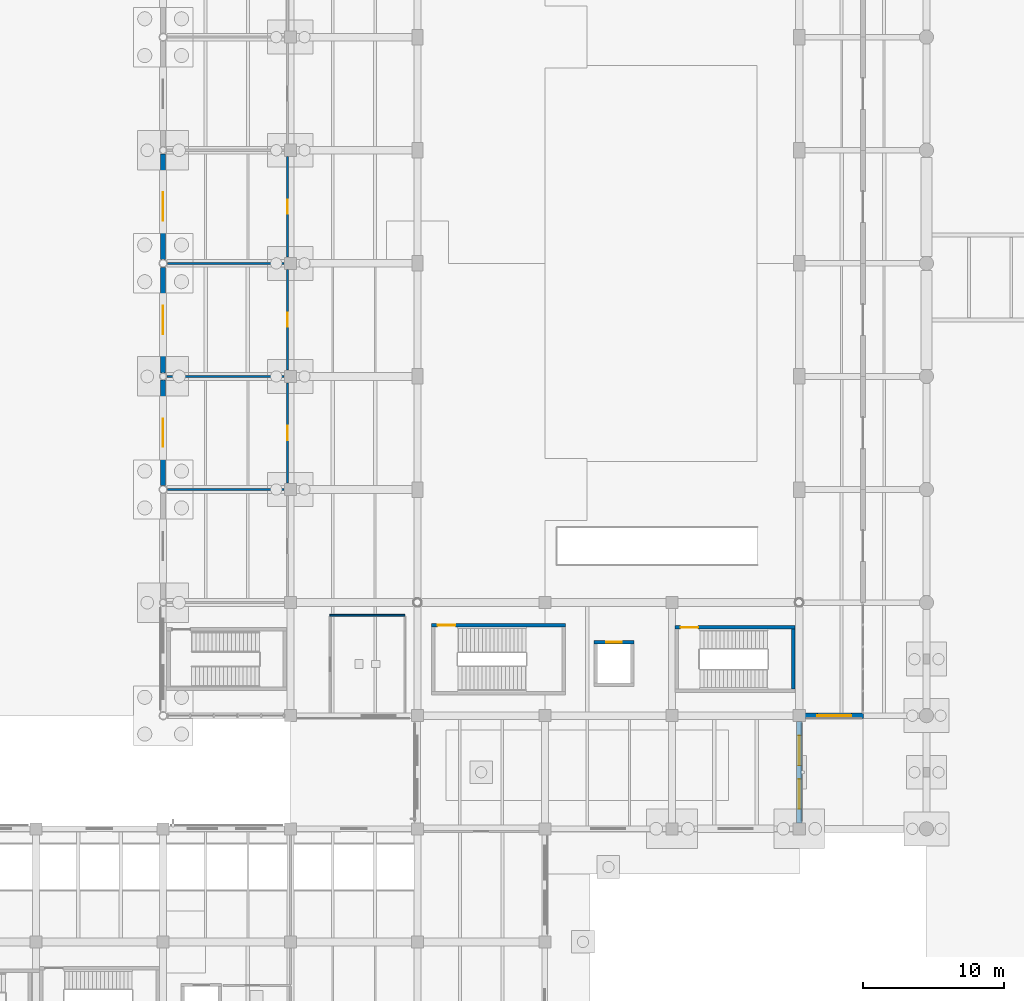
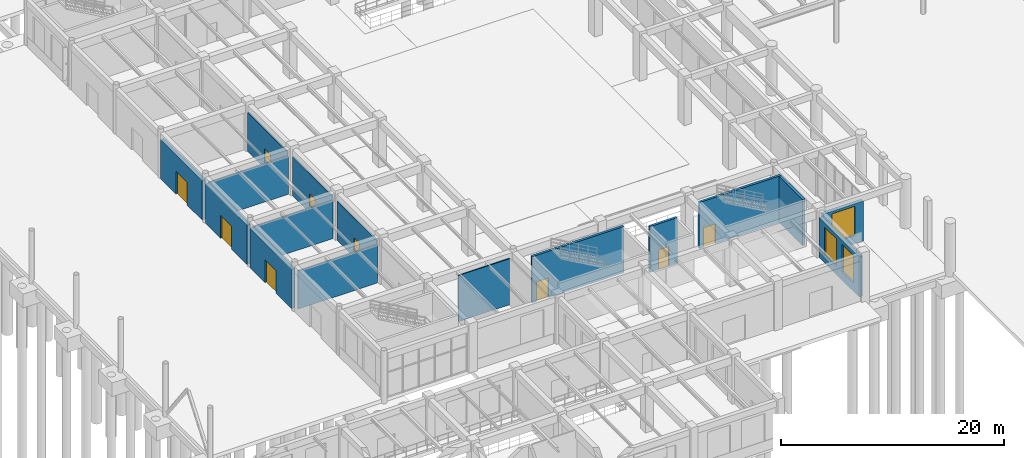
# One storey, part 90 of 121: 16 walls, 9 doors, 3 windows, 12 openings.
"""IFC4 building model written with IfcOpenShell, lengths in metres."""

from ifc_helpers import new_model, si_unit, derived_unit, direction, frame, frame_2d, origin, place, context, subcontext, project, spatial, rectangle, extrude, material, layer, layer_set, type_object, element, fill, save


model = new_model("IFC4")

# Units and contexts
model_context = context("Model", 3, precision=1e-05, world=origin(), true_north=direction((0.0, 1.0)))
body_context = subcontext(model_context, "Body", "Model", "MODEL_VIEW")
ifc_project = project(units=[si_unit("LENGTHUNIT", "METRE"), si_unit("AREAUNIT", "SQUARE_METRE"), si_unit("VOLUMEUNIT", "CUBIC_METRE"), si_unit("PLANEANGLEUNIT", "RADIAN"), si_unit("MASSUNIT", "GRAM", prefix="KILO"), derived_unit("THERMALTRANSMITTANCEUNIT", [(si_unit("MASSUNIT", "GRAM", prefix="KILO"), 1), (si_unit("TIMEUNIT", "SECOND"), -3), (si_unit("THERMODYNAMICTEMPERATUREUNIT", "KELVIN"), -1)])], contexts=[model_context])

# Site, building, storey
site_placement = place(None, origin())
site = spatial("IfcSite", under=ifc_project, at=site_placement, CompositionType="ELEMENT")
building_placement = place(site_placement, origin())
building = spatial("IfcBuilding", under=site, at=building_placement, Name="Zhenchuan Archway Interchange", CompositionType="ELEMENT")
storey_placement = place(building_placement, origin())
storey = spatial("IfcBuildingStorey", under=building, at=storey_placement, Name="L00", CompositionType="ELEMENT", Elevation=0.0)

# Wall, opening, door
ifc_material_1 = material(Name="Terracotta Masonry", Category="masonry")
ifc_layer_1 = layer(ifc_material_1, 0.360107421875)
ifc_layer_set_1 = layer_set([ifc_layer_1], Name="Terracotta Masonry")
wall_type_1 = type_object("IfcWallType", Name="EW_TERRA_360", PredefinedType="STANDARD", material=ifc_layer_set_1)
wall_1_placement = place(storey_placement, frame((18.0, 40.276611328125, 0.0), z_axis=(0.0, 0.0, 1.0), x_axis=(0.0, 1.0, 0.0)))
wall_1 = element("IfcWall", 1, at=wall_1_placement, inside=storey, type_object=wall_type_1, Name="Exterior wall L00-006", PredefinedType="STANDARD", context=body_context, shape_type="SweptSolid", body=[
    extrude(rectangle(XDim=7.472412109375, YDim=0.360107421875, at=frame_2d((3.736328125, 0.0))), origin(), (0.0, 0.0, 1.0), 4.320068359375),
])
opening_1_placement = place(wall_1_placement, frame((2.736328125, 0.0, 0.0)))
opening_1 = element("IfcOpeningElement", 2, at=opening_1_placement, cuts=wall_1, Name="Opening ED-03", PredefinedType="OPENING", context=body_context, shape_type="SweptSolid", body=[
    extrude(rectangle(XDim=2.0, YDim=2.5, at=frame_2d((1.0, 1.25))), frame((0.0, 0.19189453125, 0.0), z_axis=(0.0, -1.0, 0.0), x_axis=(1.0, 0.0, 0.0)), (0.0, 0.0, 1.0), 0.384033203125),
])
ifc_material_2 = material(Name="Anodised Aluminium", Category="aluminium")
door_type_1 = type_object("IfcDoorType", Name="ED_BUS_2000x2500", OperationType="SLIDING_TO_LEFT", PredefinedType="DOOR", material=ifc_material_2)
door_1_placement = place(opening_1_placement, origin())
door_1 = element("IfcDoor", 3, at=door_1_placement, inside=storey, type_object=door_type_1, Name="Exterior entrance door L00-002", OperationType="SINGLE_SWING_LEFT", OverallHeight=2.5, OverallWidth=2.0, PredefinedType="DOOR", context=body_context, shape_type="SweptSolid", body=[
    extrude(rectangle(XDim=2.0, YDim=2.5, at=frame_2d((1.0, 1.25))), frame((0.0, 0.02490234375, 0.0), z_axis=(0.0, -1.0, 0.0), x_axis=(1.0, 0.0, 0.0)), (0.0, 0.0, 1.0), 0.050048828125),
])
fill(opening_1, door_1)

wall_2_placement = place(storey_placement, frame((18.0, 48.2509765625, 0.0), z_axis=(0.0, 0.0, 1.0), x_axis=(0.0, 1.0, 0.0)))
wall_2 = element("IfcWall", 4, at=wall_2_placement, inside=storey, type_object=wall_type_1, Name="Exterior wall L00-007", PredefinedType="STANDARD", context=body_context, shape_type="SweptSolid", body=[
    extrude(rectangle(XDim=7.472412109375, YDim=0.360107421875, at=frame_2d((3.736328125, 0.0))), origin(), (0.0, 0.0, 1.0), 4.320068359375),
])
opening_2_placement = place(wall_2_placement, frame((2.736328125, 0.0, 0.0)))
opening_2 = element("IfcOpeningElement", 5, at=opening_2_placement, cuts=wall_2, Name="Opening ED-03", PredefinedType="OPENING", context=body_context, shape_type="SweptSolid", body=[
    extrude(rectangle(XDim=2.0, YDim=2.5, at=frame_2d((1.0, 1.25))), frame((0.0, 0.19189453125, 0.0), z_axis=(0.0, -1.0, 0.0), x_axis=(1.0, 0.0, 0.0)), (0.0, 0.0, 1.0), 0.384033203125),
])
door_2_placement = place(opening_2_placement, origin())
door_2 = element("IfcDoor", 6, at=door_2_placement, inside=storey, type_object=door_type_1, Name="Exterior entrance door L00-003", OperationType="SINGLE_SWING_LEFT", OverallHeight=2.5, OverallWidth=2.0, PredefinedType="DOOR", context=body_context, shape_type="SweptSolid", body=[
    extrude(rectangle(XDim=2.0, YDim=2.5, at=frame_2d((1.0, 1.25))), frame((0.0, 0.02490234375, 0.0), z_axis=(0.0, -1.0, 0.0), x_axis=(1.0, 0.0, 0.0)), (0.0, 0.0, 1.0), 0.050048828125),
])
fill(opening_2, door_2)

wall_3_placement = place(storey_placement, frame((18.0, 56.276611328125, 0.0), z_axis=(0.0, 0.0, 1.0), x_axis=(0.0, 1.0, 0.0)))
wall_3 = element("IfcWall", 7, at=wall_3_placement, inside=storey, type_object=wall_type_1, Name="Exterior wall L00-008", PredefinedType="STANDARD", context=body_context, shape_type="SweptSolid", body=[
    extrude(rectangle(XDim=7.472412109375, YDim=0.360107421875, at=frame_2d((3.736328125, 0.0))), origin(), (0.0, 0.0, 1.0), 4.320068359375),
])
opening_3_placement = place(wall_3_placement, frame((2.736328125, 0.0, 0.0)))
opening_3 = element("IfcOpeningElement", 8, at=opening_3_placement, cuts=wall_3, Name="Opening ED-03", PredefinedType="OPENING", context=body_context, shape_type="SweptSolid", body=[
    extrude(rectangle(XDim=2.0, YDim=2.5, at=frame_2d((1.0, 1.25))), frame((0.0, 0.19189453125, 0.0), z_axis=(0.0, -1.0, 0.0), x_axis=(1.0, 0.0, 0.0)), (0.0, 0.0, 1.0), 0.384033203125),
])
door_3_placement = place(opening_3_placement, origin())
door_3 = element("IfcDoor", 9, at=door_3_placement, inside=storey, type_object=door_type_1, Name="Exterior entrance door L00-004", OperationType="SINGLE_SWING_LEFT", OverallHeight=2.5, OverallWidth=2.0, PredefinedType="DOOR", context=body_context, shape_type="SweptSolid", body=[
    extrude(rectangle(XDim=2.0, YDim=2.5, at=frame_2d((1.0, 1.25))), frame((0.0, 0.02490234375, 0.0), z_axis=(0.0, -1.0, 0.0), x_axis=(1.0, 0.0, 0.0)), (0.0, 0.0, 1.0), 0.050048828125),
])
fill(opening_3, door_3)

# Wall, opening, window
wall_4_placement = place(storey_placement, frame((67.5400390625, 24.0, 0.0), z_axis=(0.0, 0.0, 1.0), x_axis=(-1.0, 0.0, 0.0)))
wall_4 = element("IfcWall", 10, at=wall_4_placement, inside=storey, type_object=wall_type_1, Name="Exterior wall L00-040", PredefinedType="STANDARD", context=body_context, shape_type="SweptSolid", body=[
    extrude(rectangle(XDim=4.116943359375, YDim=0.360107421875, at=frame_2d((2.05859375, 0.0))), origin(), (0.0, 0.0, 1.0), 4.3798828125),
])
opening_4_placement = place(wall_4_placement, frame((0.8583984375, 0.0, 0.89990234375)))
opening_4 = element("IfcOpeningElement", 11, at=opening_4_placement, cuts=wall_4, Name="Opening W-01", PredefinedType="OPENING", context=body_context, shape_type="SweptSolid", body=[
    extrude(rectangle(XDim=2.39990234375, YDim=3.199951171875, at=frame_2d((1.199951171875, 1.60009765625))), frame((0.0, 0.19189453125, 0.0), z_axis=(0.0, -1.0, 0.0), x_axis=(1.0, 0.0, 0.0)), (0.0, 0.0, 1.0), 0.384033203125),
])
ifc_material_3 = material(Name="Double Low-E Insulated Glazing", Category="glass")
window_type_1 = type_object("IfcWindowType", Name="WN_ARCH_2400x3200", PartitioningType="SINGLE_PANEL", PredefinedType="WINDOW", material=ifc_material_3)
window_1_placement = place(opening_4_placement, origin())
window_1 = element("IfcWindow", 12, at=window_1_placement, inside=storey, type_object=window_type_1, Name="Window L00-0024", OverallHeight=3.199951171875, OverallWidth=2.39990234375, PartitioningType="SINGLE_PANEL", PredefinedType="WINDOW", context=body_context, shape_type="SweptSolid", body=[
    extrude(rectangle(XDim=2.39990234375, YDim=3.199951171875, at=frame_2d((1.199951171875, 1.60009765625))), frame((0.0, 0.030029296875, 0.0), z_axis=(0.0, -1.0, 0.0), x_axis=(1.0, 0.0, 0.0)), (0.0, 0.0, 1.0), 0.06005859375),
])
fill(opening_4, window_1)

# Wall, openings, windows
wall_5_placement = place(storey_placement, frame((63.0, 23.576904296875, 0.0), z_axis=(0.0, 0.0, 1.0), x_axis=(0.0, -1.0, 0.0)))
wall_5 = element("IfcWall", 13, at=wall_5_placement, inside=storey, type_object=wall_type_1, Name="Exterior wall L00-041", PredefinedType="STANDARD", context=body_context, shape_type="SweptSolid", body=[
    extrude(rectangle(XDim=7.15380859375, YDim=0.360107421875, at=frame_2d((3.576904296875, 0.0))), origin(), (0.0, 0.0, 1.0), 4.3798828125),
])
opening_5_placement = place(wall_5_placement, frame((0.984619140625, 0.0, 0.89990234375)))
opening_5 = element("IfcOpeningElement", 14, at=opening_5_placement, cuts=wall_5, Name="Opening W-02", PredefinedType="OPENING", context=body_context, shape_type="SweptSolid", body=[
    extrude(rectangle(XDim=2.10009765625, YDim=3.0, at=frame_2d((1.050048828125, 1.5))), frame((0.0, 0.19189453125, 0.0), z_axis=(0.0, -1.0, 0.0), x_axis=(1.0, 0.0, 0.0)), (0.0, 0.0, 1.0), 0.384033203125),
])
opening_6_placement = place(wall_5_placement, frame((4.0693359375, 0.0, 0.89990234375)))
opening_6 = element("IfcOpeningElement", 15, at=opening_6_placement, cuts=wall_5, Name="Opening W-02", PredefinedType="OPENING", context=body_context, shape_type="SweptSolid", body=[
    extrude(rectangle(XDim=2.10009765625, YDim=3.0, at=frame_2d((1.050048828125, 1.5))), frame((0.0, 0.19189453125, 0.0), z_axis=(0.0, -1.0, 0.0), x_axis=(1.0, 0.0, 0.0)), (0.0, 0.0, 1.0), 0.384033203125),
])
window_type_2 = type_object("IfcWindowType", Name="WN_ARCH_2100x3000", PartitioningType="SINGLE_PANEL", PredefinedType="WINDOW", material=ifc_material_3)
window_2_placement = place(opening_5_placement, origin())
window_2 = element("IfcWindow", 16, at=window_2_placement, inside=storey, type_object=window_type_2, Name="Window L00-0025", OverallHeight=3.0, OverallWidth=2.10009765625, PartitioningType="SINGLE_PANEL", PredefinedType="WINDOW", context=body_context, shape_type="SweptSolid", body=[
    extrude(rectangle(XDim=2.10009765625, YDim=3.0, at=frame_2d((1.050048828125, 1.5))), frame((0.0, 0.030029296875, 0.0), z_axis=(0.0, -1.0, 0.0), x_axis=(1.0, 0.0, 0.0)), (0.0, 0.0, 1.0), 0.06005859375),
])
fill(opening_5, window_2)
window_3_placement = place(opening_6_placement, origin())
window_3 = element("IfcWindow", 17, at=window_3_placement, inside=storey, type_object=window_type_2, Name="Window L00-0026", OverallHeight=3.0, OverallWidth=2.10009765625, PartitioningType="SINGLE_PANEL", PredefinedType="WINDOW", context=body_context, shape_type="SweptSolid", body=[
    extrude(rectangle(XDim=2.10009765625, YDim=3.0, at=frame_2d((1.050048828125, 1.5))), frame((0.0, 0.030029296875, 0.0), z_axis=(0.0, -1.0, 0.0), x_axis=(1.0, 0.0, 0.0)), (0.0, 0.0, 1.0), 0.06005859375),
])
fill(opening_6, window_3)

# Wall, opening, door
ifc_material_4 = material(Name="Concrete C40", Category="concrete")
ifc_layer_2 = layer(ifc_material_4, 0.239990234375)
ifc_layer_set_2 = layer_set([ifc_layer_2], Name="Concrete C40")
wall_type_2 = type_object("IfcWallType", Name="WL_LIFT_240", PredefinedType="SHEAR", material=ifc_layer_set_2)
wall_6_placement = place(storey_placement, frame((51.320068359375, 29.199951171875, 0.0), z_axis=(0.0, 0.0, 1.0), x_axis=(-1.0, 0.0, 0.0)))
wall_6 = element("IfcWall", 18, at=wall_6_placement, inside=storey, type_object=wall_type_2, Name="Lift LF-01 north shaft wall (L00)", PredefinedType="SHEAR", context=body_context, shape_type="SweptSolid", body=[
    extrude(rectangle(XDim=2.840087890625, YDim=0.239990234375, at=frame_2d((1.419921875, 0.0))), origin(), (0.0, 0.0, 1.0), 5.050048828125),
])
opening_7_placement = place(wall_6_placement, frame((0.8701171875, 0.0, 0.0)))
opening_7 = element("IfcOpeningElement", 19, at=opening_7_placement, cuts=wall_6, Name="Opening LD-01", PredefinedType="OPENING", context=body_context, shape_type="SweptSolid", body=[
    extrude(rectangle(XDim=1.10009765625, YDim=2.199951171875, at=frame_2d((0.550048828125, 1.10009765625))), frame((0.0, 0.1318359375, 0.0), z_axis=(0.0, -1.0, 0.0), x_axis=(1.0, 0.0, 0.0)), (0.0, 0.0, 1.0), 0.263916015625),
])
ifc_material_5 = material(Name="Stainless Steel 304", Category="steel")
door_type_2 = type_object("IfcDoorType", Name="DR_LIFT_LD110", OperationType="DOUBLE_DOOR_SLIDING", PredefinedType="DOOR", material=ifc_material_5)
door_4_placement = place(opening_7_placement, origin())
door_4 = element("IfcDoor", 20, at=door_4_placement, inside=storey, type_object=door_type_2, Name="Lift LF-01 landing door (L00)", OperationType="DOUBLE_DOOR_SLIDING", OverallHeight=2.199951171875, OverallWidth=1.10009765625, PredefinedType="DOOR", context=body_context, shape_type="SweptSolid", body=[
    extrude(rectangle(XDim=1.10009765625, YDim=2.199951171875, at=frame_2d((0.550048828125, 1.10009765625))), frame((0.0, 0.02490234375, 0.0), z_axis=(0.0, -1.0, 0.0), x_axis=(1.0, 0.0, 0.0)), (0.0, 0.0, 1.0), 0.050048828125),
])
fill(opening_7, door_4)

# Walls
ifc_material_6 = material(Name="Gypsum Plasterboard", Category="gypsum")
ifc_layer_3 = layer(ifc_material_6, 0.14990234375)
ifc_layer_set_3 = layer_set([ifc_layer_3], Name="Gypsum Plasterboard")
wall_type_3 = type_object("IfcWallType", Name="WL_PART_150", PredefinedType="STANDARD", material=ifc_layer_set_3)
wall_7_placement = place(storey_placement, frame((18.304443359375, 40.0, 0.0), z_axis=(0.0, 0.0, 1.0), x_axis=(1.0, 0.0, 0.0)))
element("IfcWall", 21, at=wall_7_placement, inside=storey, type_object=wall_type_3, Name="Bus Bay 01 Boarding Gate N partition (L00)", PredefinedType="STANDARD", context=body_context, shape_type="SweptSolid", body=[
    extrude(rectangle(XDim=8.24560546875, YDim=0.14990234375, at=frame_2d((4.122802734375, 0.0))), origin(), (0.0, 0.0, 1.0), 4.169921875),
])
wall_8_placement = place(storey_placement, frame((18.279052734375, 48.0, 0.0), z_axis=(0.0, 0.0, 1.0), x_axis=(1.0, 0.0, 0.0)))
element("IfcWall", 22, at=wall_8_placement, inside=storey, type_object=wall_type_3, Name="Bus Bay 02 Boarding Gate N partition (L00)", PredefinedType="STANDARD", context=body_context, shape_type="SweptSolid", body=[
    extrude(rectangle(XDim=8.27099609375, YDim=0.14990234375, at=frame_2d((4.135498046875, 0.0))), origin(), (0.0, 0.0, 1.0), 4.169921875),
])

# Wall, opening, door
wall_9_placement = place(storey_placement, frame((26.800048828125, 40.449951171875, 0.0), z_axis=(0.0, 0.0, 1.0), x_axis=(0.0, 1.0, 0.0)))
wall_9 = element("IfcWall", 23, at=wall_9_placement, inside=storey, type_object=wall_type_3, Name="Bus Bay 02 Boarding Gate E partition (L00)", PredefinedType="STANDARD", context=body_context, shape_type="SweptSolid", body=[
    extrude(rectangle(XDim=7.10009765625, YDim=0.14990234375, at=frame_2d((3.550048828125, 0.0))), origin(), (0.0, 0.0, 1.0), 4.27001953125),
])
opening_8_placement = place(wall_9_placement, frame((3.050048828125, 0.0, 0.0)))
opening_8 = element("IfcOpeningElement", 24, at=opening_8_placement, cuts=wall_9, Name="Opening ID-02", PredefinedType="OPENING", context=body_context, shape_type="SweptSolid", body=[
    extrude(rectangle(XDim=1.0, YDim=2.10009765625, at=frame_2d((0.5, 1.050048828125))), frame((0.0, 0.0869140625, 0.0), z_axis=(0.0, -1.0, 0.0), x_axis=(1.0, 0.0, 0.0)), (0.0, 0.0, 1.0), 0.173828125),
])
ifc_material_7 = material(Name="Hardwood Timber", Category="wood")
door_type_3 = type_object("IfcDoorType", Name="DR_OPS_100", OperationType="NOTDEFINED", PredefinedType="DOOR", material=ifc_material_7)
door_5_placement = place(opening_8_placement, origin())
door_5 = element("IfcDoor", 25, at=door_5_placement, inside=storey, type_object=door_type_3, Name="Bus Bay 02 Boarding Gate door (L00)", OperationType="SINGLE_SWING_RIGHT", OverallHeight=2.10009765625, OverallWidth=1.0, PredefinedType="DOOR", context=body_context, shape_type="SweptSolid", body=[
    extrude(rectangle(XDim=1.0, YDim=2.10009765625, at=frame_2d((0.5, 1.050048828125))), frame((0.0, 0.02490234375, 0.0), z_axis=(0.0, -1.0, 0.0), x_axis=(1.0, 0.0, 0.0)), (0.0, 0.0, 1.0), 0.050048828125),
])
fill(opening_8, door_5)

# Wall
wall_10_placement = place(storey_placement, frame((18.304443359375, 56.0, 0.0), z_axis=(0.0, 0.0, 1.0), x_axis=(1.0, 0.0, 0.0)))
element("IfcWall", 26, at=wall_10_placement, inside=storey, type_object=wall_type_3, Name="Bus Bay 03 Boarding Gate N partition (L00)", PredefinedType="STANDARD", context=body_context, shape_type="SweptSolid", body=[
    extrude(rectangle(XDim=8.24560546875, YDim=0.14990234375, at=frame_2d((4.122802734375, 0.0))), origin(), (0.0, 0.0, 1.0), 4.169921875),
])

# Wall, opening, door
wall_11_placement = place(storey_placement, frame((26.800048828125, 48.449951171875, 0.0), z_axis=(0.0, 0.0, 1.0), x_axis=(0.0, 1.0, 0.0)))
wall_11 = element("IfcWall", 27, at=wall_11_placement, inside=storey, type_object=wall_type_3, Name="Bus Bay 03 Boarding Gate E partition (L00)", PredefinedType="STANDARD", context=body_context, shape_type="SweptSolid", body=[
    extrude(rectangle(XDim=7.10009765625, YDim=0.14990234375, at=frame_2d((3.550048828125, 0.0))), origin(), (0.0, 0.0, 1.0), 4.27001953125),
])
opening_9_placement = place(wall_11_placement, frame((3.050048828125, 0.0, 0.0)))
opening_9 = element("IfcOpeningElement", 28, at=opening_9_placement, cuts=wall_11, Name="Opening ID-02", PredefinedType="OPENING", context=body_context, shape_type="SweptSolid", body=[
    extrude(rectangle(XDim=1.0, YDim=2.10009765625, at=frame_2d((0.5, 1.050048828125))), frame((0.0, 0.0869140625, 0.0), z_axis=(0.0, -1.0, 0.0), x_axis=(1.0, 0.0, 0.0)), (0.0, 0.0, 1.0), 0.173828125),
])
door_6_placement = place(opening_9_placement, origin())
door_6 = element("IfcDoor", 29, at=door_6_placement, inside=storey, type_object=door_type_3, Name="Bus Bay 03 Boarding Gate door (L00)", OperationType="SINGLE_SWING_LEFT", OverallHeight=2.10009765625, OverallWidth=1.0, PredefinedType="DOOR", context=body_context, shape_type="SweptSolid", body=[
    extrude(rectangle(XDim=1.0, YDim=2.10009765625, at=frame_2d((0.5, 1.050048828125))), frame((0.0, 0.02490234375, 0.0), z_axis=(0.0, -1.0, 0.0), x_axis=(1.0, 0.0, 0.0)), (0.0, 0.0, 1.0), 0.050048828125),
])
fill(opening_9, door_6)

wall_12_placement = place(storey_placement, frame((26.800048828125, 56.449951171875, 0.0), z_axis=(0.0, 0.0, 1.0), x_axis=(0.0, 1.0, 0.0)))
wall_12 = element("IfcWall", 30, at=wall_12_placement, inside=storey, type_object=wall_type_3, Name="Bus Bay 04 Boarding Gate E partition (L00)", PredefinedType="STANDARD", context=body_context, shape_type="SweptSolid", body=[
    extrude(rectangle(XDim=7.10009765625, YDim=0.14990234375, at=frame_2d((3.550048828125, 0.0))), origin(), (0.0, 0.0, 1.0), 4.27001953125),
])
opening_10_placement = place(wall_12_placement, frame((3.050048828125, 0.0, 0.0)))
opening_10 = element("IfcOpeningElement", 31, at=opening_10_placement, cuts=wall_12, Name="Opening ID-02", PredefinedType="OPENING", context=body_context, shape_type="SweptSolid", body=[
    extrude(rectangle(XDim=1.0, YDim=2.10009765625, at=frame_2d((0.5, 1.050048828125))), frame((0.0, 0.0869140625, 0.0), z_axis=(0.0, -1.0, 0.0), x_axis=(1.0, 0.0, 0.0)), (0.0, 0.0, 1.0), 0.173828125),
])
door_7_placement = place(opening_10_placement, origin())
door_7 = element("IfcDoor", 32, at=door_7_placement, inside=storey, type_object=door_type_3, Name="Bus Bay 04 Boarding Gate door (L00)", OperationType="SINGLE_SWING_RIGHT", OverallHeight=2.10009765625, OverallWidth=1.0, PredefinedType="DOOR", context=body_context, shape_type="SweptSolid", body=[
    extrude(rectangle(XDim=1.0, YDim=2.10009765625, at=frame_2d((0.5, 1.050048828125))), frame((0.0, 0.02490234375, 0.0), z_axis=(0.0, -1.0, 0.0), x_axis=(1.0, 0.0, 0.0)), (0.0, 0.0, 1.0), 0.050048828125),
])
fill(opening_10, door_7)

ifc_layer_4 = layer(ifc_material_4, 0.25)
ifc_layer_set_4 = layer_set([ifc_layer_4], Name="Concrete C40")
wall_type_4 = type_object("IfcWallType", Name="WL_STAIR_250", PredefinedType="SHEAR", material=ifc_layer_set_4)
wall_13_placement = place(storey_placement, frame((46.47509765625, 30.39990234375, 0.0), z_axis=(0.0, 0.0, 1.0), x_axis=(-1.0, 0.0, 0.0)))
wall_13 = element("IfcWall", 33, at=wall_13_placement, inside=storey, type_object=wall_type_4, Name="Stair ST-M1 north wall (L00)", PredefinedType="SHEAR", context=body_context, shape_type="SweptSolid", body=[
    extrude(rectangle(XDim=9.5, YDim=0.25, at=frame_2d((4.75, 0.0))), origin(), (0.0, 0.0, 1.0), 5.050048828125),
])
opening_11_placement = place(wall_13_placement, frame((7.804931640625, 0.0, 0.0)))
opening_11 = element("IfcOpeningElement", 34, at=opening_11_placement, cuts=wall_13, Name="Opening FD-01", PredefinedType="OPENING", context=body_context, shape_type="SweptSolid", body=[
    extrude(rectangle(XDim=1.25, YDim=2.14990234375, at=frame_2d((0.625, 1.074951171875))), frame((0.0, 0.136962890625, 0.0), z_axis=(0.0, -1.0, 0.0), x_axis=(1.0, 0.0, 0.0)), (0.0, 0.0, 1.0), 0.27392578125),
])
ifc_material_8 = material(Name="Painted Galvanised Steel", Category="steel")
door_type_4 = type_object("IfcDoorType", Name="DR_STAIR_FD90", OperationType="NOTDEFINED", PredefinedType="DOOR", material=ifc_material_8)
door_8_placement = place(opening_11_placement, frame((1.25, 0.0, 0.0), z_axis=(0.0, 0.0, 1.0), x_axis=(-1.0, 0.0, 0.0)))
door_8 = element("IfcDoor", 35, at=door_8_placement, inside=storey, type_object=door_type_4, Name="Stair ST-M1 fire door (L00)", OperationType="SINGLE_SWING_LEFT", OverallHeight=2.14990234375, OverallWidth=1.25, PredefinedType="DOOR", context=body_context, shape_type="SweptSolid", body=[
    extrude(rectangle(XDim=1.25, YDim=2.14990234375, at=frame_2d((0.625, 1.074951171875))), frame((0.0, 0.02490234375, 0.0), z_axis=(0.0, -1.0, 0.0), x_axis=(1.0, 0.0, 0.0)), (0.0, 0.0, 1.0), 0.050048828125),
])
fill(opening_11, door_8)

wall_14_placement = place(storey_placement, frame((62.68505859375, 30.25, 0.0), z_axis=(0.0, 0.0, 1.0), x_axis=(-1.0, 0.0, 0.0)))
wall_14 = element("IfcWall", 36, at=wall_14_placement, inside=storey, type_object=wall_type_4, Name="Stair ST-M3 north wall (L00)", PredefinedType="SHEAR", context=body_context, shape_type="SweptSolid", body=[
    extrude(rectangle(XDim=8.489990234375, YDim=0.25, at=frame_2d((4.2451171875, 0.0))), origin(), (0.0, 0.0, 1.0), 5.050048828125),
])
opening_12_placement = place(wall_14_placement, frame((6.8349609375, 0.0, 0.0)))
opening_12 = element("IfcOpeningElement", 37, at=opening_12_placement, cuts=wall_14, Name="Opening FD-01", PredefinedType="OPENING", context=body_context, shape_type="SweptSolid", body=[
    extrude(rectangle(XDim=1.25, YDim=2.14990234375, at=frame_2d((0.625, 1.074951171875))), frame((0.0, 0.136962890625, 0.0), z_axis=(0.0, -1.0, 0.0), x_axis=(1.0, 0.0, 0.0)), (0.0, 0.0, 1.0), 0.27392578125),
])
door_9_placement = place(opening_12_placement, frame((1.25, 0.0, 0.0), z_axis=(0.0, 0.0, 1.0), x_axis=(-1.0, 0.0, 0.0)))
door_9 = element("IfcDoor", 38, at=door_9_placement, inside=storey, type_object=door_type_4, Name="Stair ST-M3 fire door (L00)", OperationType="SINGLE_SWING_LEFT", OverallHeight=2.14990234375, OverallWidth=1.25, PredefinedType="DOOR", context=body_context, shape_type="SweptSolid", body=[
    extrude(rectangle(XDim=1.25, YDim=2.14990234375, at=frame_2d((0.625, 1.074951171875))), frame((0.0, 0.02490234375, 0.0), z_axis=(0.0, -1.0, 0.0), x_axis=(1.0, 0.0, 0.0)), (0.0, 0.0, 1.0), 0.050048828125),
])
fill(opening_12, door_9)

# Walls
wall_15_placement = place(storey_placement, frame((62.56005859375, 25.875, 0.0), z_axis=(0.0, 0.0, 1.0), x_axis=(0.0, 1.0, 0.0)))
element("IfcWall", 39, at=wall_15_placement, inside=storey, type_object=wall_type_4, Name="Stair ST-M3 east wall (L00)", PredefinedType="SHEAR", context=body_context, shape_type="SweptSolid", body=[
    extrude(rectangle(XDim=4.25, YDim=0.25, at=frame_2d((2.125, 0.0))), origin(), (0.0, 0.0, 1.0), 5.050048828125),
])
ifc_layer_5 = layer(ifc_material_6, 0.1201171875)
ifc_layer_set_5 = layer_set([ifc_layer_5], Name="Gypsum Plasterboard")
wall_type_5 = type_object("IfcWallType", Name="WL_WC_120", PredefinedType="STANDARD", material=ifc_layer_set_5)
wall_16_placement = place(storey_placement, frame((29.800048828125, 31.10009765625, 0.0), z_axis=(0.0, 0.0, 1.0), x_axis=(1.0, 0.0, 0.0)))
element("IfcWall", 40, at=wall_16_placement, inside=storey, type_object=wall_type_5, Name="Concourse Public Restroom L00 N partition (L00)", PredefinedType="STANDARD", context=body_context, shape_type="SweptSolid", body=[
    extrude(rectangle(XDim=5.300048828125, YDim=0.1201171875, at=frame_2d((2.64990234375, 0.0))), origin(), (0.0, 0.0, 1.0), 5.050048828125),
])

save(model, "model.ifc")
